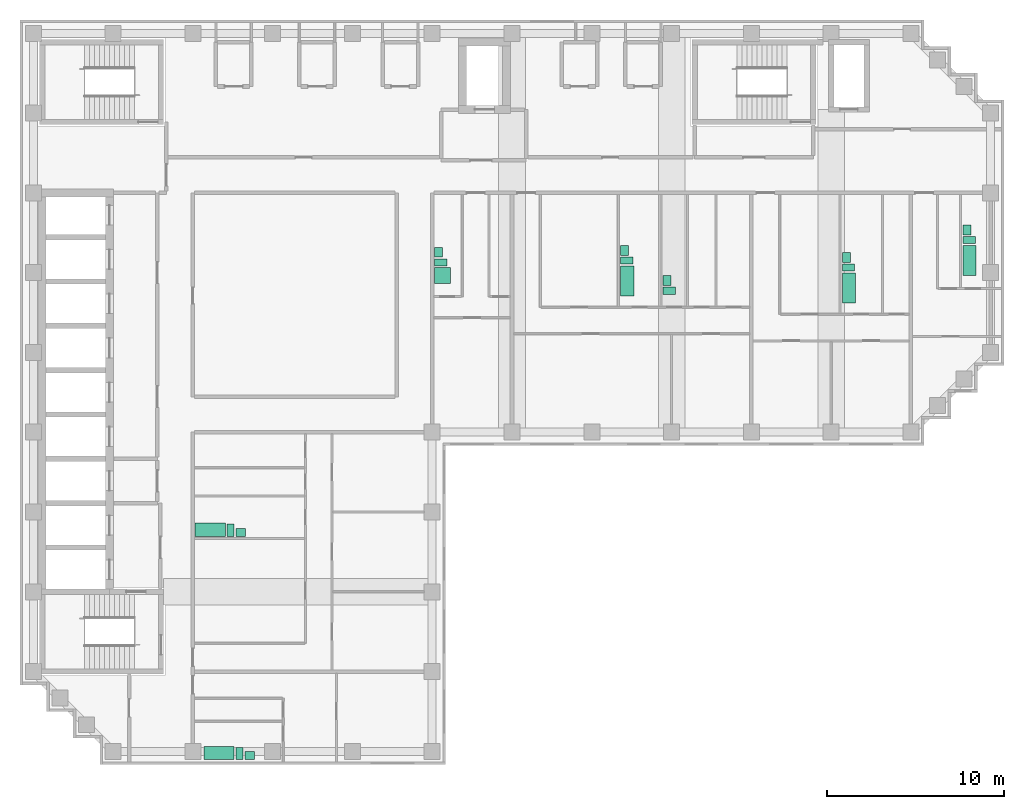
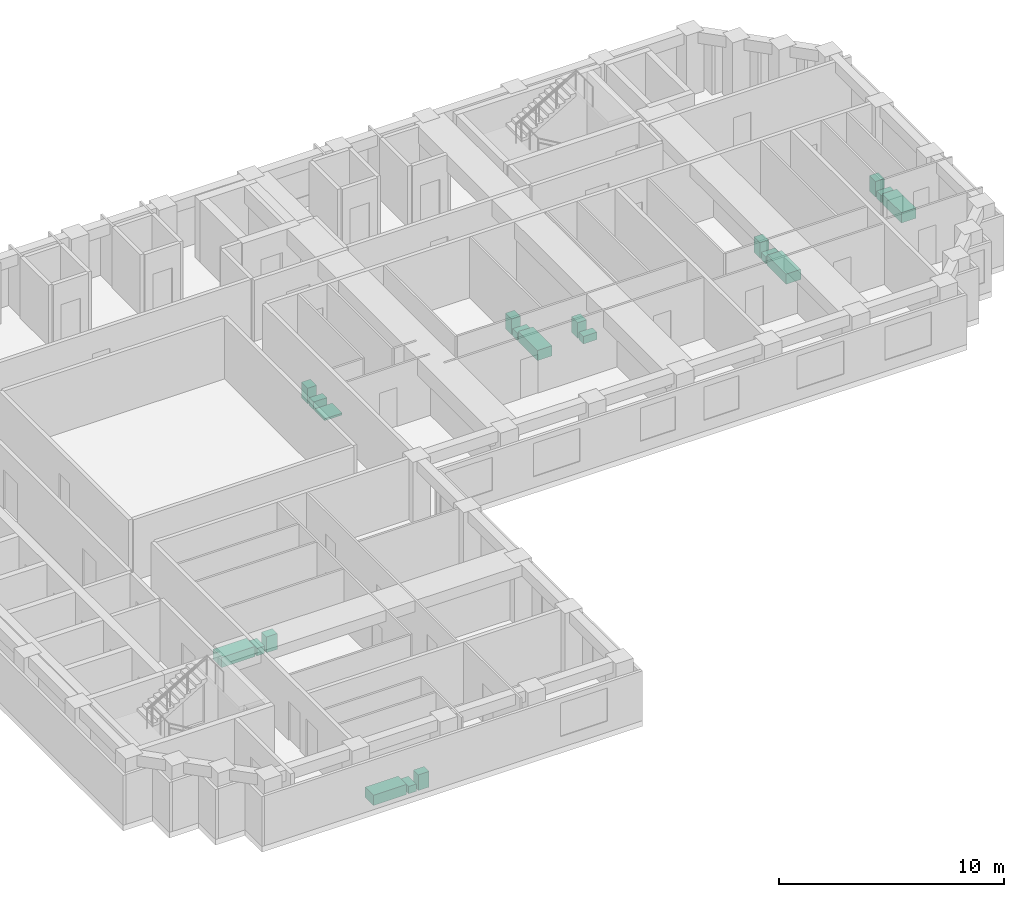
# One storey, part 9 of 9: 20 sanitary terminals.
"""IFC4 building model written with IfcOpenShell, lengths in metres."""

from ifc_helpers import new_model, si_unit, direction, frame, origin, origin_2d, place, context, subcontext, project, spatial, rectangle, extrude, material, type_object, element, save


model = new_model("IFC4")

# Units and contexts
model_context = context("Model", 3, precision=1e-05, world=origin(), true_north=direction((0.0, 1.0)))
body_context = subcontext(model_context, "Body", "Model", "MODEL_VIEW")
ifc_project = project(units=[si_unit("LENGTHUNIT", "METRE"), si_unit("AREAUNIT", "SQUARE_METRE"), si_unit("VOLUMEUNIT", "CUBIC_METRE"), si_unit("PLANEANGLEUNIT", "RADIAN"), si_unit("MASSUNIT", "GRAM", prefix="KILO")], contexts=[model_context])

# Site, building, storey
site_placement = place(None, origin())
site = spatial("IfcSite", under=ifc_project, at=site_placement, CompositionType="ELEMENT")
building_placement = place(site_placement, origin())
building = spatial("IfcBuilding", under=site, at=building_placement, Name="Firuza Court", CompositionType="ELEMENT")
storey_placement = place(building_placement, frame((0.0, 0.0, 215.0)))
storey = spatial("IfcBuildingStorey", under=building, at=storey_placement, Name="L55", CompositionType="ELEMENT", Elevation=215.0)

# Sanitary terminals
ifc_material_1 = material(Name="Vitreous china", Category="ceramic")
sanitary_terminal_type_1 = type_object("IfcSanitaryTerminalType", Name="Fixture Bath", PredefinedType="BATH", material=ifc_material_1)
for number, where, z_axis, x_axis, name in (
    (1, (33.5048828125, 44.530029296875, 0.0), (0.0, 0.0, 1.0), (1.0, 0.0, 0.0), "Bath"),
    (2, (46.0048828125, 44.1298828125, 0.0), (0.0, 0.0, 1.0), (1.0, 0.0, 0.0), "Bath"),
    (3, (52.804931640625, 45.679931640625, 0.0), (0.0, 0.0, 1.0), (1.0, 0.0, 0.0), "Bath"),
):
    element("IfcSanitaryTerminal", number, at=place(storey_placement, frame(where, z_axis=z_axis, x_axis=x_axis)), inside=storey, type_object=sanitary_terminal_type_1, Name=name, PredefinedType="BATH", context=body_context, shape_type="SweptSolid", body=[
        extrude(rectangle(XDim=0.75, YDim=1.699951171875, at=origin_2d()), origin(), (0.0, 0.0, 1.0), 0.550048828125),
    ])
for number, where, z_axis, x_axis, name in (
    (4, (9.97998046875, 30.5048828125, 0.0), (0.0, 0.0, 1.0), (1.0, 0.0, 0.0), "Bath"),
    (5, (10.47998046875, 17.905029296875, 0.0), (0.0, 0.0, 1.0), (1.0, 0.0, 0.0), "Bath"),
):
    element("IfcSanitaryTerminal", number, at=place(storey_placement, frame(where, z_axis=z_axis, x_axis=x_axis)), inside=storey, type_object=sanitary_terminal_type_1, Name=name, PredefinedType="BATH", context=body_context, shape_type="SweptSolid", body=[
        extrude(rectangle(XDim=1.699951171875, YDim=0.75, at=origin_2d()), origin(), (0.0, 0.0, 1.0), 0.550048828125),
    ])
ifc_material_2 = material(Name="Vitreous china", Category="ceramic")
sanitary_terminal_type_2 = type_object("IfcSanitaryTerminalType", Name="Fixture Shower tray", PredefinedType="SHOWER", material=ifc_material_2)
sanitary_terminal_placement = place(storey_placement, frame((23.080078125, 44.830078125, 0.0), z_axis=(0.0, 0.0, 1.0), x_axis=(1.0, 0.0, 0.0)))
element("IfcSanitaryTerminal", 6, at=sanitary_terminal_placement, inside=storey, type_object=sanitary_terminal_type_2, Name="Shower tray", PredefinedType="SHOWER", context=body_context, shape_type="SweptSolid", body=[
    extrude(rectangle(XDim=0.89990234375, YDim=0.89990234375, at=origin_2d()), origin(), (0.0, 0.0, 1.0), 0.10009765625),
])
ifc_material_3 = material(Name="Vitreous china", Category="ceramic")
sanitary_terminal_type_3 = type_object("IfcSanitaryTerminalType", Name="Fixture WC pan", PredefinedType="TOILETPAN", material=ifc_material_3)
for number, where, z_axis, x_axis, name in (
    (7, (22.97998046875, 45.580078125, 0.0), (0.0, 0.0, 1.0), (1.0, 0.0, 0.0), "WC pan"),
    (8, (33.47998046875, 45.679931640625, 0.0), (0.0, 0.0, 1.0), (1.0, 0.0, 0.0), "WC pan"),
    (9, (35.8798828125, 43.97998046875, 0.0), (0.0, 0.0, 1.0), (1.0, 0.0, 0.0), "WC pan"),
    (10, (45.97998046875, 45.280029296875, 0.0), (0.0, 0.0, 1.0), (1.0, 0.0, 0.0), "WC pan"),
    (11, (52.780029296875, 46.830078125, 0.0), (0.0, 0.0, 1.0), (1.0, 0.0, 0.0), "WC pan"),
):
    element("IfcSanitaryTerminal", number, at=place(storey_placement, frame(where, z_axis=z_axis, x_axis=x_axis)), inside=storey, type_object=sanitary_terminal_type_3, Name=name, PredefinedType="TOILETPAN", context=body_context, shape_type="SweptSolid", body=[
        extrude(rectangle(XDim=0.699951171875, YDim=0.39990234375, at=origin_2d()), origin(), (0.0, 0.0, 1.0), 0.39990234375),
    ])
for number, where, z_axis, x_axis, name in (
    (12, (11.1298828125, 30.47998046875, 0.0), (0.0, 0.0, 1.0), (1.0, 0.0, 0.0), "WC pan"),
    (13, (11.6298828125, 17.8798828125, 0.0), (0.0, 0.0, 1.0), (1.0, 0.0, 0.0), "WC pan"),
):
    element("IfcSanitaryTerminal", number, at=place(storey_placement, frame(where, z_axis=z_axis, x_axis=x_axis)), inside=storey, type_object=sanitary_terminal_type_3, Name=name, PredefinedType="TOILETPAN", context=body_context, shape_type="SweptSolid", body=[
        extrude(rectangle(XDim=0.39990234375, YDim=0.699951171875, at=origin_2d()), origin(), (0.0, 0.0, 1.0), 0.39990234375),
    ])
ifc_material_4 = material(Name="Vitreous china", Category="ceramic")
sanitary_terminal_type_4 = type_object("IfcSanitaryTerminalType", Name="Fixture Washbasin", PredefinedType="WASHHANDBASIN", material=ifc_material_4)
for number, where, z_axis, x_axis, name in (
    (14, (22.85498046875, 46.155029296875, 0.0), (0.0, 0.0, 1.0), (1.0, 0.0, 0.0), "Washbasin"),
    (15, (33.35498046875, 46.2548828125, 0.0), (0.0, 0.0, 1.0), (1.0, 0.0, 0.0), "Washbasin"),
    (16, (35.7548828125, 44.554931640625, 0.0), (0.0, 0.0, 1.0), (1.0, 0.0, 0.0), "Washbasin"),
    (17, (45.85498046875, 45.85498046875, 0.0), (0.0, 0.0, 1.0), (1.0, 0.0, 0.0), "Washbasin"),
    (18, (52.655029296875, 47.405029296875, 0.0), (0.0, 0.0, 1.0), (1.0, 0.0, 0.0), "Washbasin"),
):
    element("IfcSanitaryTerminal", number, at=place(storey_placement, frame(where, z_axis=z_axis, x_axis=x_axis)), inside=storey, type_object=sanitary_terminal_type_4, Name=name, PredefinedType="WASHHANDBASIN", context=body_context, shape_type="SweptSolid", body=[
        extrude(rectangle(XDim=0.449951171875, YDim=0.550048828125, at=origin_2d()), origin(), (0.0, 0.0, 1.0), 0.85009765625),
    ])
for number, where, z_axis, x_axis, name in (
    (19, (11.705078125, 30.35498046875, 0.0), (0.0, 0.0, 1.0), (1.0, 0.0, 0.0), "Washbasin"),
    (20, (12.205078125, 17.7548828125, 0.0), (0.0, 0.0, 1.0), (1.0, 0.0, 0.0), "Washbasin"),
):
    element("IfcSanitaryTerminal", number, at=place(storey_placement, frame(where, z_axis=z_axis, x_axis=x_axis)), inside=storey, type_object=sanitary_terminal_type_4, Name=name, PredefinedType="WASHHANDBASIN", context=body_context, shape_type="SweptSolid", body=[
        extrude(rectangle(XDim=0.550048828125, YDim=0.449951171875, at=origin_2d()), origin(), (0.0, 0.0, 1.0), 0.85009765625),
    ])

save(model, "model.ifc")
